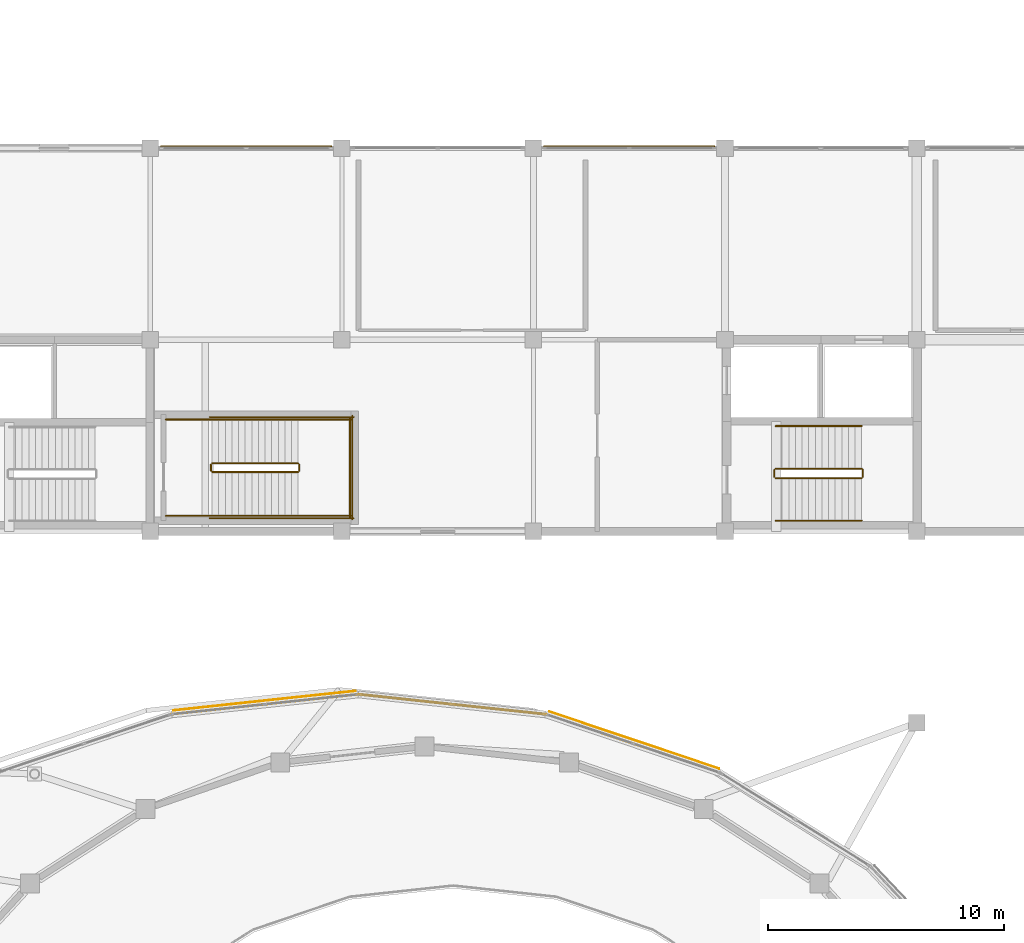
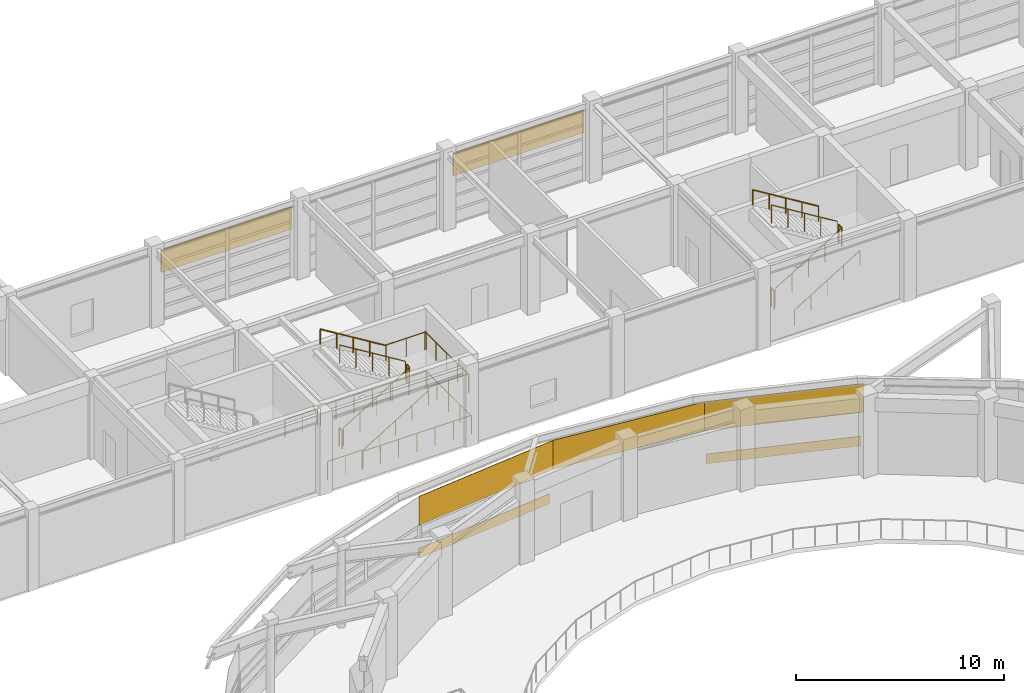
# One storey, part 55 of 58: 20 railings, 5 coverings, 2 shading devices.
"""IFC4 building model written with IfcOpenShell, lengths in metres."""

from ifc_helpers import new_model, si_unit, direction, frame, origin, origin_2d, place, context, subcontext, project, spatial, rectangle, circle, extrude, material, layer, layer_set, type_object, element, save


model = new_model("IFC4")

# Units and contexts
model_context = context("Model", 3, precision=1e-05, world=origin(), true_north=direction((0.0, 1.0)))
body_context = subcontext(model_context, "Body", "Model", "MODEL_VIEW")
ifc_project = project(units=[si_unit("LENGTHUNIT", "METRE"), si_unit("AREAUNIT", "SQUARE_METRE"), si_unit("VOLUMEUNIT", "CUBIC_METRE"), si_unit("PLANEANGLEUNIT", "RADIAN"), si_unit("MASSUNIT", "GRAM", prefix="KILO")], contexts=[model_context])

# Site, building, storey
site_placement = place(None, origin())
site = spatial("IfcSite", under=ifc_project, at=site_placement, CompositionType="ELEMENT")
building_placement = place(site_placement, origin())
building = spatial("IfcBuilding", under=site, at=building_placement, Name="Parian Resonance Hall", CompositionType="ELEMENT")
storey_placement = place(building_placement, frame((0.0, 0.0, 10.199951171875)))
storey = spatial("IfcBuildingStorey", under=building, at=storey_placement, Name="L02", CompositionType="ELEMENT", Elevation=10.199951171875)

# Coverings
ifc_material_1 = material(Name="Polychrome trencadis ceramic mosaic cladding")
ifc_layer_1 = layer(ifc_material_1, 0.030029296875)
ifc_layer_set_1 = layer_set([ifc_layer_1], Name="Polychrome trencadis ceramic mosaic cladding")
covering_type = type_object("IfcCoveringType", Name="COV-MOSAIC-CLAD", PredefinedType="CLADDING", material=ifc_layer_set_1)
covering_1_placement = place(storey_placement, frame((52.860595703125, 64.06689453125, 0.28759765625), z_axis=(0.0, 0.0, 1.0), x_axis=(0.948004186617, -0.318257854824, 0.0)))
element("IfcCovering", 1, at=covering_1_placement, inside=storey, type_object=covering_type, Name="Polychrome ceramic mosaic frieze L02-037", PredefinedType="CLADDING", context=body_context, shape_type="SweptSolid", body=[
    extrude(rectangle(XDim=7.5849609375, YDim=0.030029296875, at=origin_2d()), origin(), (0.0, 0.0, 1.0), 0.574951171875),
])
covering_2_placement = place(storey_placement, frame((52.81005859375, 63.916259765625, 2.35498046875), z_axis=(0.0, 0.0, 1.0), x_axis=(0.948004186617, -0.318257854824, 0.0)))
element("IfcCovering", 2, at=covering_2_placement, inside=storey, type_object=covering_type, Name="Elliptical R2 upper mosaic frieze cladding 05", PredefinedType="CLADDING", context=body_context, shape_type="SweptSolid", body=[
    extrude(rectangle(XDim=7.784912109375, YDim=0.030029296875, at=origin_2d()), origin(), (0.0, 0.0, 1.0), 1.695068359375),
])
covering_3_placement = place(storey_placement, frame((45.159912109375, 65.577392578125, 2.35498046875), z_axis=(0.0, 0.0, 1.0), x_axis=(0.994356475568, -0.106090525009, 0.0)))
element("IfcCovering", 3, at=covering_3_placement, inside=storey, type_object=covering_type, Name="Elliptical R2 upper mosaic frieze cladding 06", PredefinedType="CLADDING", context=body_context, shape_type="SweptSolid", body=[
    extrude(rectangle(XDim=7.96484375, YDim=0.030029296875, at=origin_2d()), origin(), (0.0, 0.0, 1.0), 1.695068359375),
])
covering_4_placement = place(storey_placement, frame((37.22314453125, 65.735595703125, 0.28759765625), z_axis=(0.0, 0.0, 1.0), x_axis=(0.994356475568, 0.106090525009, 0.0)))
element("IfcCovering", 4, at=covering_4_placement, inside=storey, type_object=covering_type, Name="Polychrome ceramic mosaic frieze L02-040", PredefinedType="CLADDING", context=body_context, shape_type="SweptSolid", body=[
    extrude(rectangle(XDim=7.764892578125, YDim=0.030029296875, at=origin_2d()), origin(), (0.0, 0.0, 1.0), 0.574951171875),
])
covering_5_placement = place(storey_placement, frame((37.239990234375, 65.577392578125, 2.35498046875), z_axis=(0.0, 0.0, 1.0), x_axis=(0.994356475568, 0.106090525009, 0.0)))
element("IfcCovering", 5, at=covering_5_placement, inside=storey, type_object=covering_type, Name="Elliptical R2 upper mosaic frieze cladding 07", PredefinedType="CLADDING", context=body_context, shape_type="SweptSolid", body=[
    extrude(rectangle(XDim=7.96484375, YDim=0.030029296875, at=origin_2d()), origin(), (0.0, 0.0, 1.0), 1.695068359375),
])

# Railings
ifc_material_2 = material(Name="Patinated bronze whiplash metalwork")
railing_type_1 = type_object("IfcRailingType", Name="RAIL-HALL-BAL-1120", PredefinedType="BALUSTRADE", material=ifc_material_2)
railing_1_placement = place(storey_placement, frame((35.010009765625, 75.409912109375, 0.17138671875)))
element("IfcRailing", 6, at=railing_1_placement, inside=storey, type_object=railing_type_1, Name="L02 ST-07 stair guard 1", PredefinedType="BALUSTRADE", context=body_context, shape_type="SweptSolid", body=[
    extrude(circle(Radius=0.02392578125, at=origin_2d()), frame((0.0, 0.0, 1.076171875), z_axis=(0.852824790078, 0.0, 0.522197163366), x_axis=(0.0, 1.0, 0.0)), (0.0, 0.0, 1.0), 4.26806640625),
    extrude(circle(Radius=0.02099609375, at=origin_2d()), origin(), (0.0, 0.0, 1.0), 1.052001953125),
    extrude(circle(Radius=0.02099609375, at=origin_2d()), frame((0.909912109375, 0.0, 0.55712890625)), (0.0, 0.0, 1.0), 1.052001953125),
    extrude(circle(Radius=0.02099609375, at=origin_2d()), frame((1.81982421875, 0.0, 1.1142578125)), (0.0, 0.0, 1.0), 1.052001953125),
    extrude(circle(Radius=0.02099609375, at=origin_2d()), frame((2.72998046875, 0.0, 1.671630859375)), (0.0, 0.0, 1.0), 1.052001953125),
    extrude(circle(Radius=0.02099609375, at=origin_2d()), frame((3.639892578125, 0.0, 2.228759765625)), (0.0, 0.0, 1.0), 1.052001953125),
])
railing_2_placement = place(storey_placement, frame((38.699951171875, 75.4599609375, 2.400146484375)))
element("IfcRailing", 7, at=railing_2_placement, inside=storey, type_object=railing_type_1, Name="L02 ST-07 stair guard 2", PredefinedType="BALUSTRADE", context=body_context, shape_type="SweptSolid", body=[
    extrude(circle(Radius=0.02392578125, at=origin_2d()), frame((0.0, 0.0, 1.076171875), z_axis=(0.0, 1.0, 0.0), x_axis=(-1.0, 0.0, 0.0)), (0.0, 0.0, 1.0), 0.260009765625),
    extrude(circle(Radius=0.02099609375, at=origin_2d()), origin(), (0.0, 0.0, 1.0), 1.052001953125),
    extrude(circle(Radius=0.02099609375, at=origin_2d()), frame((0.0, 0.260009765625, 0.0)), (0.0, 0.0, 1.0), 1.052001953125),
])
for number, where, name in (
    (8, (38.64990234375, 73.550048828125, 2.400146484375), "L02 ST-07 stair guard 3"),
    (9, (38.64990234375, 77.6298828125, 2.400146484375), "L02 ST-07 stair guard 4"),
):
    element("IfcRailing", number, at=place(storey_placement, frame(where)), inside=storey, type_object=railing_type_1, Name=name, PredefinedType="BALUSTRADE", context=body_context, shape_type="SweptSolid", body=[
        extrude(circle(Radius=0.02392578125, at=origin_2d()), frame((0.0, 0.0, 1.076171875), z_axis=(1.0, 0.0, 0.0), x_axis=(0.0, 1.0, 0.0)), (0.0, 0.0, 1.0), 2.239990234375),
        extrude(circle(Radius=0.02099609375, at=origin_2d()), origin(), (0.0, 0.0, 1.0), 1.052001953125),
        extrude(circle(Radius=0.02099609375, at=origin_2d()), frame((1.1201171875, 0.0, 0.0)), (0.0, 0.0, 1.0), 1.052001953125),
        extrude(circle(Radius=0.02099609375, at=origin_2d()), frame((2.239990234375, 0.0, 0.0)), (0.0, 0.0, 1.0), 1.052001953125),
    ])
railing_3_placement = place(storey_placement, frame((40.840087890625, 73.5, 2.400146484375)))
element("IfcRailing", 10, at=railing_3_placement, inside=storey, type_object=railing_type_1, Name="L02 ST-07 stair guard 5", PredefinedType="BALUSTRADE", context=body_context, shape_type="SweptSolid", body=[
    extrude(circle(Radius=0.02392578125, at=origin_2d()), frame((0.0, 0.0, 1.076171875), z_axis=(0.0, 1.0, 0.0), x_axis=(-1.0, 0.0, 0.0)), (0.0, 0.0, 1.0), 4.179931640625),
    extrude(circle(Radius=0.02099609375, at=origin_2d()), origin(), (0.0, 0.0, 1.0), 1.052001953125),
    extrude(circle(Radius=0.02099609375, at=origin_2d()), frame((0.0, 1.044921875, 0.0)), (0.0, 0.0, 1.0), 1.052001953125),
    extrude(circle(Radius=0.02099609375, at=origin_2d()), frame((0.0, 2.08984375, 0.0)), (0.0, 0.0, 1.0), 1.052001953125),
    extrude(circle(Radius=0.02099609375, at=origin_2d()), frame((0.0, 3.135009765625, 0.0)), (0.0, 0.0, 1.0), 1.052001953125),
    extrude(circle(Radius=0.02099609375, at=origin_2d()), frame((0.0, 4.179931640625, 0.0)), (0.0, 0.0, 1.0), 1.052001953125),
])
railing_4_placement = place(storey_placement, frame((38.64990234375, 75.77001953125, 2.571533203125)))
element("IfcRailing", 11, at=railing_4_placement, inside=storey, type_object=railing_type_1, Name="L02 ST-07 stair guard 6", PredefinedType="BALUSTRADE", context=body_context, shape_type="SweptSolid", body=[
    extrude(circle(Radius=0.02392578125, at=origin_2d()), frame((0.0, 0.0, 1.076171875), z_axis=(-0.852850264322, 0.0, 0.5221555579), x_axis=(0.0, -1.0, 0.0)), (0.0, 0.0, 1.0), 4.267822265625),
    extrude(circle(Radius=0.02099609375, at=origin_2d()), origin(), (0.0, 0.0, 1.0), 1.052001953125),
    extrude(circle(Radius=0.02099609375, at=origin_2d()), frame((-0.909912109375, 0.0, 0.55712890625)), (0.0, 0.0, 1.0), 1.052001953125),
    extrude(circle(Radius=0.02099609375, at=origin_2d()), frame((-1.81982421875, 0.0, 1.1142578125)), (0.0, 0.0, 1.0), 1.052001953125),
    extrude(circle(Radius=0.02099609375, at=origin_2d()), frame((-2.72998046875, 0.0, 1.67138671875)), (0.0, 0.0, 1.0), 1.052001953125),
    extrude(circle(Radius=0.02099609375, at=origin_2d()), frame((-3.639892578125, 0.0, 2.228515625)), (0.0, 0.0, 1.0), 1.052001953125),
])
railing_5_placement = place(storey_placement, frame((34.9599609375, 75.4599609375, 0.0)))
element("IfcRailing", 12, at=railing_5_placement, inside=storey, type_object=railing_type_1, Name="L02 ST-07 stair guard 7", PredefinedType="BALUSTRADE", context=body_context, shape_type="SweptSolid", body=[
    extrude(circle(Radius=0.02392578125, at=origin_2d()), frame((0.0, 0.0, 1.076171875), z_axis=(0.0, 1.0, 0.0), x_axis=(-1.0, 0.0, 0.0)), (0.0, 0.0, 1.0), 0.260009765625),
    extrude(circle(Radius=0.02099609375, at=origin_2d()), origin(), (0.0, 0.0, 1.0), 1.052001953125),
    extrude(circle(Radius=0.02099609375, at=origin_2d()), frame((0.0, 0.260009765625, 0.0)), (0.0, 0.0, 1.0), 1.052001953125),
])
for number, where, name in (
    (13, (33.050048828125, 73.550048828125, 0.0), "L02 ST-07 stair guard 8"),
    (14, (33.050048828125, 77.6298828125, 0.0), "L02 ST-07 stair guard 9"),
):
    element("IfcRailing", number, at=place(storey_placement, frame(where)), inside=storey, type_object=railing_type_1, Name=name, PredefinedType="BALUSTRADE", context=body_context, shape_type="SweptSolid", body=[
        extrude(circle(Radius=0.02392578125, at=origin_2d()), frame((0.0, 0.0, 1.076171875), z_axis=(1.0, 0.0, 0.0), x_axis=(0.0, 1.0, 0.0)), (0.0, 0.0, 1.0), 1.9599609375),
        extrude(circle(Radius=0.02099609375, at=origin_2d()), origin(), (0.0, 0.0, 1.0), 1.052001953125),
        extrude(circle(Radius=0.02099609375, at=origin_2d()), frame((0.97998046875, 0.0, 0.0)), (0.0, 0.0, 1.0), 1.052001953125),
        extrude(circle(Radius=0.02099609375, at=origin_2d()), frame((1.9599609375, 0.0, 0.0)), (0.0, 0.0, 1.0), 1.052001953125),
    ])
for number, where, name in (
    (15, (34.909912109375, 73.449951171875, 0.0), "L02 ST-07 stair guard 10"),
    (16, (34.909912109375, 77.72998046875, 0.0), "L02 ST-07 stair guard 11"),
):
    element("IfcRailing", number, at=place(storey_placement, frame(where)), inside=storey, type_object=railing_type_1, Name=name, PredefinedType="BALUSTRADE", context=body_context, shape_type="SweptSolid", body=[
        extrude(circle(Radius=0.02392578125, at=origin_2d()), frame((0.0, 0.0, 1.076171875), z_axis=(1.0, 0.0, 0.0), x_axis=(0.0, 1.0, 0.0)), (0.0, 0.0, 1.0), 6.080078125),
        extrude(circle(Radius=0.02099609375, at=origin_2d()), origin(), (0.0, 0.0, 1.0), 1.052001953125),
        extrude(circle(Radius=0.02099609375, at=origin_2d()), frame((1.013427734375, 0.0, 0.0)), (0.0, 0.0, 1.0), 1.052001953125),
        extrude(circle(Radius=0.02099609375, at=origin_2d()), frame((2.026611328125, 0.0, 0.0)), (0.0, 0.0, 1.0), 1.052001953125),
        extrude(circle(Radius=0.02099609375, at=origin_2d()), frame((3.0400390625, 0.0, 0.0)), (0.0, 0.0, 1.0), 1.052001953125),
        extrude(circle(Radius=0.02099609375, at=origin_2d()), frame((4.053466796875, 0.0, 0.0)), (0.0, 0.0, 1.0), 1.052001953125),
        extrude(circle(Radius=0.02099609375, at=origin_2d()), frame((5.066650390625, 0.0, 0.0)), (0.0, 0.0, 1.0), 1.052001953125),
        extrude(circle(Radius=0.02099609375, at=origin_2d()), frame((6.080078125, 0.0, 0.0)), (0.0, 0.0, 1.0), 1.052001953125),
    ])
railing_6_placement = place(storey_placement, frame((40.93994140625, 73.39990234375, 0.0)))
element("IfcRailing", 17, at=railing_6_placement, inside=storey, type_object=railing_type_1, Name="L02 ST-07 stair guard 12", PredefinedType="BALUSTRADE", context=body_context, shape_type="SweptSolid", body=[
    extrude(circle(Radius=0.02392578125, at=origin_2d()), frame((0.0, 0.0, 1.076171875), z_axis=(0.0, 1.0, 0.0), x_axis=(-1.0, 0.0, 0.0)), (0.0, 0.0, 1.0), 4.380126953125),
    extrude(circle(Radius=0.02099609375, at=origin_2d()), origin(), (0.0, 0.0, 1.0), 1.052001953125),
    extrude(circle(Radius=0.02099609375, at=origin_2d()), frame((0.0, 1.094970703125, 0.0)), (0.0, 0.0, 1.0), 1.052001953125),
    extrude(circle(Radius=0.02099609375, at=origin_2d()), frame((0.0, 2.18994140625, 0.0)), (0.0, 0.0, 1.0), 1.052001953125),
    extrude(circle(Radius=0.02099609375, at=origin_2d()), frame((0.0, 3.28515625, 0.0)), (0.0, 0.0, 1.0), 1.052001953125),
    extrude(circle(Radius=0.02099609375, at=origin_2d()), frame((0.0, 4.380126953125, 0.0)), (0.0, 0.0, 1.0), 1.052001953125),
])
ifc_material_3 = material(Name="Patinated bronze whiplash metalwork")
railing_type_2 = type_object("IfcRailingType", Name="RAIL-STAIR-GRD-1100", PredefinedType="GUARDRAIL", material=ifc_material_3)
railing_7_placement = place(storey_placement, frame((58.840087890625, 75.14990234375, 0.17138671875)))
element("IfcRailing", 18, at=railing_7_placement, inside=storey, type_object=railing_type_2, Name="L02 ST-01 stair guard 1", PredefinedType="GUARDRAIL", context=body_context, shape_type="SweptSolid", body=[
    extrude(circle(Radius=0.02392578125, at=origin_2d()), frame((0.0, 0.0, 1.076171875), z_axis=(0.852824790078, 0.0, 0.522197163366), x_axis=(0.0, 1.0, 0.0)), (0.0, 0.0, 1.0), 4.26806640625),
    extrude(circle(Radius=0.02099609375, at=origin_2d()), origin(), (0.0, 0.0, 1.0), 1.052001953125),
    extrude(circle(Radius=0.02099609375, at=origin_2d()), frame((0.909912109375, 0.0, 0.55712890625)), (0.0, 0.0, 1.0), 1.052001953125),
    extrude(circle(Radius=0.02099609375, at=origin_2d()), frame((1.81982421875, 0.0, 1.1142578125)), (0.0, 0.0, 1.0), 1.052001953125),
    extrude(circle(Radius=0.02099609375, at=origin_2d()), frame((2.72998046875, 0.0, 1.671630859375)), (0.0, 0.0, 1.0), 1.052001953125),
    extrude(circle(Radius=0.02099609375, at=origin_2d()), frame((3.639892578125, 0.0, 2.228759765625)), (0.0, 0.0, 1.0), 1.052001953125),
])
railing_8_placement = place(storey_placement, frame((62.530029296875, 75.199951171875, 2.400146484375)))
element("IfcRailing", 19, at=railing_8_placement, inside=storey, type_object=railing_type_2, Name="L02 ST-01 stair guard 2", PredefinedType="GUARDRAIL", context=body_context, shape_type="SweptSolid", body=[
    extrude(circle(Radius=0.02392578125, at=origin_2d()), frame((0.0, 0.0, 1.076171875), z_axis=(0.0, 1.0, 0.0), x_axis=(-1.0, 0.0, 0.0)), (0.0, 0.0, 1.0), 0.300048828125),
    extrude(circle(Radius=0.02099609375, at=origin_2d()), origin(), (0.0, 0.0, 1.0), 1.052001953125),
    extrude(circle(Radius=0.02099609375, at=origin_2d()), frame((0.0, 0.300048828125, 0.0)), (0.0, 0.0, 1.0), 1.052001953125),
])
railing_9_placement = place(storey_placement, frame((62.47998046875, 75.550048828125, 2.571533203125)))
element("IfcRailing", 20, at=railing_9_placement, inside=storey, type_object=railing_type_2, Name="L02 ST-01 stair guard 3", PredefinedType="GUARDRAIL", context=body_context, shape_type="SweptSolid", body=[
    extrude(circle(Radius=0.02392578125, at=origin_2d()), frame((0.0, 0.0, 1.076171875), z_axis=(-0.852850264322, 0.0, 0.5221555579), x_axis=(0.0, -1.0, 0.0)), (0.0, 0.0, 1.0), 4.267822265625),
    extrude(circle(Radius=0.02099609375, at=origin_2d()), origin(), (0.0, 0.0, 1.0), 1.052001953125),
    extrude(circle(Radius=0.02099609375, at=origin_2d()), frame((-0.909912109375, 0.0, 0.55712890625)), (0.0, 0.0, 1.0), 1.052001953125),
    extrude(circle(Radius=0.02099609375, at=origin_2d()), frame((-1.81982421875, 0.0, 1.1142578125)), (0.0, 0.0, 1.0), 1.052001953125),
    extrude(circle(Radius=0.02099609375, at=origin_2d()), frame((-2.72998046875, 0.0, 1.67138671875)), (0.0, 0.0, 1.0), 1.052001953125),
    extrude(circle(Radius=0.02099609375, at=origin_2d()), frame((-3.639892578125, 0.0, 2.228515625)), (0.0, 0.0, 1.0), 1.052001953125),
])
railing_10_placement = place(storey_placement, frame((58.7900390625, 75.199951171875, 0.0)))
element("IfcRailing", 21, at=railing_10_placement, inside=storey, type_object=railing_type_2, Name="L02 ST-01 stair guard 4", PredefinedType="GUARDRAIL", context=body_context, shape_type="SweptSolid", body=[
    extrude(circle(Radius=0.02392578125, at=origin_2d()), frame((0.0, 0.0, 1.076171875), z_axis=(0.0, 1.0, 0.0), x_axis=(-1.0, 0.0, 0.0)), (0.0, 0.0, 1.0), 0.300048828125),
    extrude(circle(Radius=0.02099609375, at=origin_2d()), origin(), (0.0, 0.0, 1.0), 1.052001953125),
    extrude(circle(Radius=0.02099609375, at=origin_2d()), frame((0.0, 0.300048828125, 0.0)), (0.0, 0.0, 1.0), 1.052001953125),
])
ifc_material_4 = material(Name="Patinated bronze whiplash metalwork")
railing_type_3 = type_object("IfcRailingType", Name="RAIL-STAIR-HR-900", PredefinedType="HANDRAIL", material=ifc_material_4)
railing_11_placement = place(storey_placement, frame((58.840087890625, 73.35009765625, 0.17138671875)))
element("IfcRailing", 22, at=railing_11_placement, inside=storey, type_object=railing_type_3, Name="L02 ST-01 stair handrail 1", PredefinedType="HANDRAIL", context=body_context, shape_type="SweptSolid", body=[
    extrude(circle(Radius=0.02392578125, at=origin_2d()), frame((0.0, 0.0, 0.8759765625), z_axis=(0.852824790078, 0.0, 0.522197163366), x_axis=(0.0, 1.0, 0.0)), (0.0, 0.0, 1.0), 4.26806640625),
    extrude(circle(Radius=0.02099609375, at=origin_2d()), origin(), (0.0, 0.0, 1.0), 0.851806640625),
    extrude(circle(Radius=0.02099609375, at=origin_2d()), frame((0.909912109375, 0.0, 0.55712890625)), (0.0, 0.0, 1.0), 0.851806640625),
    extrude(circle(Radius=0.02099609375, at=origin_2d()), frame((1.81982421875, 0.0, 1.1142578125)), (0.0, 0.0, 1.0), 0.851806640625),
    extrude(circle(Radius=0.02099609375, at=origin_2d()), frame((2.72998046875, 0.0, 1.671630859375)), (0.0, 0.0, 1.0), 0.851806640625),
    extrude(circle(Radius=0.02099609375, at=origin_2d()), frame((3.639892578125, 0.0, 2.228759765625)), (0.0, 0.0, 1.0), 0.851806640625),
])
railing_12_placement = place(storey_placement, frame((62.47998046875, 77.35009765625, 2.571533203125)))
element("IfcRailing", 23, at=railing_12_placement, inside=storey, type_object=railing_type_3, Name="L02 ST-01 stair handrail 2", PredefinedType="HANDRAIL", context=body_context, shape_type="SweptSolid", body=[
    extrude(circle(Radius=0.02392578125, at=origin_2d()), frame((0.0, 0.0, 0.8759765625), z_axis=(-0.852850264322, 0.0, 0.5221555579), x_axis=(0.0, -1.0, 0.0)), (0.0, 0.0, 1.0), 4.267822265625),
    extrude(circle(Radius=0.02099609375, at=origin_2d()), origin(), (0.0, 0.0, 1.0), 0.851806640625),
    extrude(circle(Radius=0.02099609375, at=origin_2d()), frame((-0.909912109375, 0.0, 0.55712890625)), (0.0, 0.0, 1.0), 0.851806640625),
    extrude(circle(Radius=0.02099609375, at=origin_2d()), frame((-1.81982421875, 0.0, 1.1142578125)), (0.0, 0.0, 1.0), 0.851806640625),
    extrude(circle(Radius=0.02099609375, at=origin_2d()), frame((-2.72998046875, 0.0, 1.67138671875)), (0.0, 0.0, 1.0), 0.851806640625),
    extrude(circle(Radius=0.02099609375, at=origin_2d()), frame((-3.639892578125, 0.0, 2.228515625)), (0.0, 0.0, 1.0), 0.851806640625),
])
railing_13_placement = place(storey_placement, frame((35.010009765625, 73.550048828125, 0.17138671875)))
element("IfcRailing", 24, at=railing_13_placement, inside=storey, type_object=railing_type_3, Name="L02 ST-07 stair handrail 1", PredefinedType="HANDRAIL", context=body_context, shape_type="SweptSolid", body=[
    extrude(circle(Radius=0.02392578125, at=origin_2d()), frame((0.0, 0.0, 0.8759765625), z_axis=(0.852824790078, 0.0, 0.522197163366), x_axis=(0.0, 1.0, 0.0)), (0.0, 0.0, 1.0), 4.26806640625),
    extrude(circle(Radius=0.02099609375, at=origin_2d()), origin(), (0.0, 0.0, 1.0), 0.851806640625),
    extrude(circle(Radius=0.02099609375, at=origin_2d()), frame((0.909912109375, 0.0, 0.55712890625)), (0.0, 0.0, 1.0), 0.851806640625),
    extrude(circle(Radius=0.02099609375, at=origin_2d()), frame((1.81982421875, 0.0, 1.1142578125)), (0.0, 0.0, 1.0), 0.851806640625),
    extrude(circle(Radius=0.02099609375, at=origin_2d()), frame((2.72998046875, 0.0, 1.671630859375)), (0.0, 0.0, 1.0), 0.851806640625),
    extrude(circle(Radius=0.02099609375, at=origin_2d()), frame((3.639892578125, 0.0, 2.228759765625)), (0.0, 0.0, 1.0), 0.851806640625),
])
railing_14_placement = place(storey_placement, frame((38.64990234375, 77.6298828125, 2.571533203125)))
element("IfcRailing", 25, at=railing_14_placement, inside=storey, type_object=railing_type_3, Name="L02 ST-07 stair handrail 2", PredefinedType="HANDRAIL", context=body_context, shape_type="SweptSolid", body=[
    extrude(circle(Radius=0.02392578125, at=origin_2d()), frame((0.0, 0.0, 0.8759765625), z_axis=(-0.852850264322, 0.0, 0.5221555579), x_axis=(0.0, -1.0, 0.0)), (0.0, 0.0, 1.0), 4.267822265625),
    extrude(circle(Radius=0.02099609375, at=origin_2d()), origin(), (0.0, 0.0, 1.0), 0.851806640625),
    extrude(circle(Radius=0.02099609375, at=origin_2d()), frame((-0.909912109375, 0.0, 0.55712890625)), (0.0, 0.0, 1.0), 0.851806640625),
    extrude(circle(Radius=0.02099609375, at=origin_2d()), frame((-1.81982421875, 0.0, 1.1142578125)), (0.0, 0.0, 1.0), 0.851806640625),
    extrude(circle(Radius=0.02099609375, at=origin_2d()), frame((-2.72998046875, 0.0, 1.67138671875)), (0.0, 0.0, 1.0), 0.851806640625),
    extrude(circle(Radius=0.02099609375, at=origin_2d()), frame((-3.639892578125, 0.0, 2.228515625)), (0.0, 0.0, 1.0), 0.851806640625),
])

# Shading devices
ifc_material_5 = material(Name="Patinated bronze persiana louver")
ifc_layer_2 = layer(ifc_material_5, 0.080078125)
ifc_layer_set_2 = layer_set([ifc_layer_2], Name="Patinated bronze persiana louver")
shading_device_type = type_object("IfcShadingDeviceType", Name="SHD-PERSIANA-JAL", PredefinedType="JALOUSIE", material=ifc_layer_set_2)
for number, where, z_axis, x_axis, name in (
    (26, (36.449951171875, 89.172607421875, 2.787109375), (0.0, 0.0, 1.0), (1.0, 0.0, 0.0), "Bronze persiana storm jalousie L02-036"),
    (27, (52.64990234375, 89.16748046875, 2.787109375), (0.0, 0.0, 1.0), (1.0, 0.0, 0.0), "Bronze persiana storm jalousie L02-039"),
):
    element("IfcShadingDevice", number, at=place(storey_placement, frame(where, z_axis=z_axis, x_axis=x_axis)), inside=storey, type_object=shading_device_type, Name=name, PredefinedType="JALOUSIE", context=body_context, shape_type="SweptSolid", body=[
        extrude(rectangle(XDim=7.239990234375, YDim=0.080078125, at=origin_2d()), origin(), (0.0, 0.0, 1.0), 1.300048828125),
    ])

save(model, "model.ifc")
